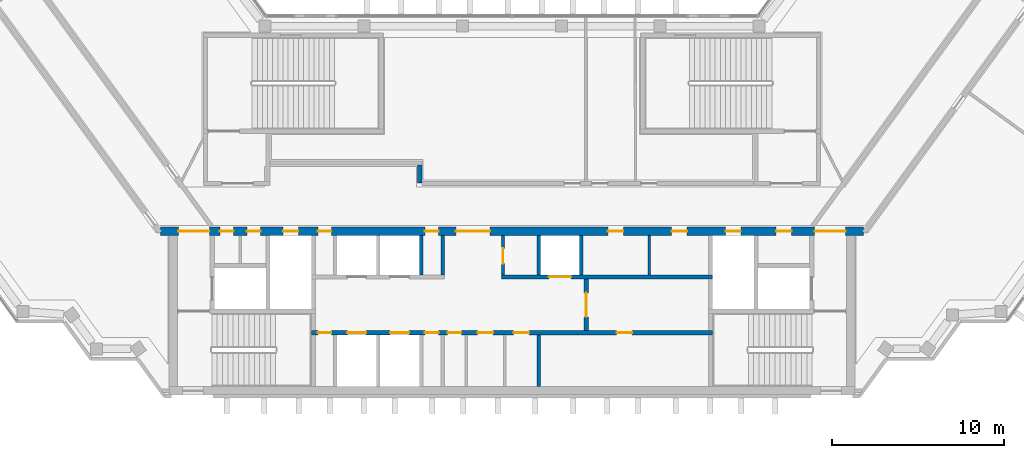
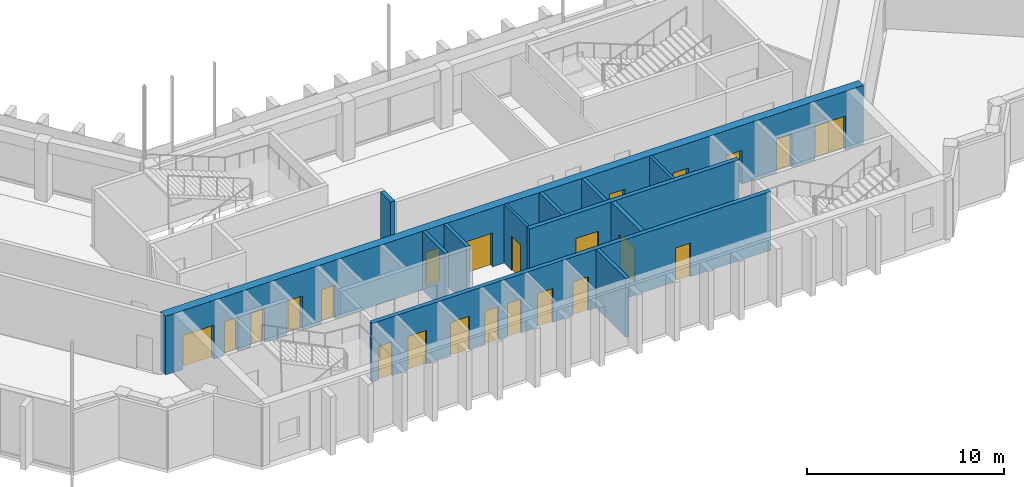
# One storey, part 9 of 13: 23 doors, 12 walls, 23 openings.
"""IFC4 building model written with IfcOpenShell, lengths in metres."""

from ifc_helpers import new_model, si_unit, direction, frame, frame_2d, origin, place, context, subcontext, project, spatial, rectangle, extrude, material, layer, layer_set, type_object, element, fill, save


model = new_model("IFC4")

# Units and contexts
model_context = context("Model", 3, precision=1e-05, world=origin(), true_north=direction((0.0, 1.0)))
body_context = subcontext(model_context, "Body", "Model", "MODEL_VIEW")
ifc_project = project(units=[si_unit("LENGTHUNIT", "METRE"), si_unit("AREAUNIT", "SQUARE_METRE"), si_unit("VOLUMEUNIT", "CUBIC_METRE"), si_unit("PLANEANGLEUNIT", "RADIAN"), si_unit("MASSUNIT", "GRAM", prefix="KILO")], contexts=[model_context])

# Site, building, storey
site_placement = place(None, origin())
site = spatial("IfcSite", under=ifc_project, at=site_placement, CompositionType="ELEMENT")
building_placement = place(site_placement, origin())
building = spatial("IfcBuilding", under=site, at=building_placement, Name="Quipu Civic Tower", CompositionType="ELEMENT")
storey_placement = place(building_placement, frame((0.0, 0.0, 347.0)))
storey = spatial("IfcBuildingStorey", under=building, at=storey_placement, Name="L81", CompositionType="ELEMENT", Elevation=347.0)

# Wall, openings, doors
ifc_material_1 = material(Name="Concrete C70/85", Category="concrete")
ifc_layer_1 = layer(ifc_material_1, 0.25)
ifc_layer_set_1 = layer_set([ifc_layer_1], Name="Concrete C70/85")
wall_type_1 = type_object("IfcWallType", Name="Core wall 250", PredefinedType="SHEAR", material=ifc_layer_set_1)
wall_1_placement = place(storey_placement, frame((11.699951171875, -7.375, 0.0), z_axis=(0.0, 0.0, 1.0), x_axis=(-1.0, 0.0, 0.0)))
wall_1 = element("IfcWall", 1, at=wall_1_placement, inside=storey, type_object=wall_type_1, Name="Core wall", PredefinedType="SHEAR", context=body_context, shape_type="SweptSolid", body=[
    extrude(rectangle(XDim=23.39990234375, YDim=0.25, at=frame_2d((11.699951171875, 0.0))), origin(), (0.0, 0.0, 1.0), 3.64990234375),
])
opening_1_placement = place(wall_1_placement, frame((22.22509765625, 0.0, 0.0)))
opening_1 = element("IfcOpeningElement", 2, at=opening_1_placement, cuts=wall_1, Name="Opening CD-01", PredefinedType="OPENING", context=body_context, shape_type="SweptSolid", body=[
    extrude(rectangle(XDim=0.800048828125, YDim=2.10009765625, at=frame_2d((0.39990234375, 1.050048828125))), frame((0.0, 0.135009765625, 0.0), z_axis=(0.0, -1.0, 0.0), x_axis=(1.0, 0.0, 0.0)), (0.0, 0.0, 1.0), 0.27001953125),
])
opening_2_placement = place(wall_1_placement, frame((20.199951171875, 0.0, 0.0)))
opening_2 = element("IfcOpeningElement", 3, at=opening_2_placement, cuts=wall_1, Name="Opening LD-HL1", PredefinedType="OPENING", context=body_context, shape_type="SweptSolid", body=[
    extrude(rectangle(XDim=1.10009765625, YDim=2.10009765625, at=frame_2d((0.550048828125, 1.050048828125))), frame((0.0, 0.135009765625, 0.0), z_axis=(0.0, -1.0, 0.0), x_axis=(1.0, 0.0, 0.0)), (0.0, 0.0, 1.0), 0.27001953125),
])
opening_3_placement = place(wall_1_placement, frame((17.699951171875, 0.0, 0.0)))
opening_3 = element("IfcOpeningElement", 4, at=opening_3_placement, cuts=wall_1, Name="Opening LD-HL2", PredefinedType="OPENING", context=body_context, shape_type="SweptSolid", body=[
    extrude(rectangle(XDim=1.10009765625, YDim=2.10009765625, at=frame_2d((0.550048828125, 1.050048828125))), frame((0.0, 0.135009765625, 0.0), z_axis=(0.0, -1.0, 0.0), x_axis=(1.0, 0.0, 0.0)), (0.0, 0.0, 1.0), 0.27001953125),
])
opening_4_placement = place(wall_1_placement, frame((15.97509765625, 0.0, 0.0)))
opening_4 = element("IfcOpeningElement", 5, at=opening_4_placement, cuts=wall_1, Name="Opening CD-02", PredefinedType="OPENING", context=body_context, shape_type="SweptSolid", body=[
    extrude(rectangle(XDim=0.800048828125, YDim=2.10009765625, at=frame_2d((0.39990234375, 1.050048828125))), frame((0.0, 0.135009765625, 0.0), z_axis=(0.0, -1.0, 0.0), x_axis=(1.0, 0.0, 0.0)), (0.0, 0.0, 1.0), 0.27001953125),
])
opening_5_placement = place(wall_1_placement, frame((14.64990234375, 0.0, 0.0)))
opening_5 = element("IfcOpeningElement", 6, at=opening_5_placement, cuts=wall_1, Name="Opening CD-03", PredefinedType="OPENING", context=body_context, shape_type="SweptSolid", body=[
    extrude(rectangle(XDim=0.800048828125, YDim=2.10009765625, at=frame_2d((0.39990234375, 1.050048828125))), frame((0.0, 0.135009765625, 0.0), z_axis=(0.0, -1.0, 0.0), x_axis=(1.0, 0.0, 0.0)), (0.0, 0.0, 1.0), 0.27001953125),
])
opening_6_placement = place(wall_1_placement, frame((12.800048828125, 0.0, 0.0)))
opening_6 = element("IfcOpeningElement", 7, at=opening_6_placement, cuts=wall_1, Name="Opening CD-04", PredefinedType="OPENING", context=body_context, shape_type="SweptSolid", body=[
    extrude(rectangle(XDim=0.89990234375, YDim=2.10009765625, at=frame_2d((0.449951171875, 1.050048828125))), frame((0.0, 0.135009765625, 0.0), z_axis=(0.0, -1.0, 0.0), x_axis=(1.0, 0.0, 0.0)), (0.0, 0.0, 1.0), 0.27001953125),
])
opening_7_placement = place(wall_1_placement, frame((10.699951171875, 0.0, 0.0)))
opening_7 = element("IfcOpeningElement", 8, at=opening_7_placement, cuts=wall_1, Name="Opening CD-05", PredefinedType="OPENING", context=body_context, shape_type="SweptSolid", body=[
    extrude(rectangle(XDim=0.89990234375, YDim=2.10009765625, at=frame_2d((0.449951171875, 1.050048828125))), frame((0.0, 0.135009765625, 0.0), z_axis=(0.0, -1.0, 0.0), x_axis=(1.0, 0.0, 0.0)), (0.0, 0.0, 1.0), 0.27001953125),
])
opening_8_placement = place(wall_1_placement, frame((4.699951171875, 0.0, 0.0)))
opening_8 = element("IfcOpeningElement", 9, at=opening_8_placement, cuts=wall_1, Name="Opening CD-06", PredefinedType="OPENING", context=body_context, shape_type="SweptSolid", body=[
    extrude(rectangle(XDim=0.89990234375, YDim=2.10009765625, at=frame_2d((0.449951171875, 1.050048828125))), frame((0.0, 0.135009765625, 0.0), z_axis=(0.0, -1.0, 0.0), x_axis=(1.0, 0.0, 0.0)), (0.0, 0.0, 1.0), 0.27001953125),
])
ifc_material_2 = material(Name="Fire rated steel door", Category="steel")
door_type_1 = type_object("IfcDoorType", Name="Fire door FD60 800 x 2100", OperationType="NOTDEFINED", PredefinedType="DOOR", material=ifc_material_2)
door_1_placement = place(opening_1_placement, origin())
door_1 = element("IfcDoor", 10, at=door_1_placement, inside=storey, type_object=door_type_1, Name="Door", OperationType="SINGLE_SWING_RIGHT", OverallHeight=2.10009765625, OverallWidth=0.800048828125, PredefinedType="DOOR", context=body_context, shape_type="SweptSolid", body=[
    extrude(rectangle(XDim=0.800048828125, YDim=2.10009765625, at=frame_2d((0.39990234375, 1.050048828125))), frame((0.0, 0.02490234375, 0.0), z_axis=(0.0, -1.0, 0.0), x_axis=(1.0, 0.0, 0.0)), (0.0, 0.0, 1.0), 0.050048828125),
])
fill(opening_1, door_1)
door_2_placement = place(opening_4_placement, origin())
door_2 = element("IfcDoor", 11, at=door_2_placement, inside=storey, type_object=door_type_1, Name="Door", OperationType="SINGLE_SWING_RIGHT", OverallHeight=2.10009765625, OverallWidth=0.800048828125, PredefinedType="DOOR", context=body_context, shape_type="SweptSolid", body=[
    extrude(rectangle(XDim=0.800048828125, YDim=2.10009765625, at=frame_2d((0.39990234375, 1.050048828125))), frame((0.0, 0.02490234375, 0.0), z_axis=(0.0, -1.0, 0.0), x_axis=(1.0, 0.0, 0.0)), (0.0, 0.0, 1.0), 0.050048828125),
])
fill(opening_4, door_2)
door_3_placement = place(opening_5_placement, origin())
door_3 = element("IfcDoor", 12, at=door_3_placement, inside=storey, type_object=door_type_1, Name="Door", OperationType="SINGLE_SWING_RIGHT", OverallHeight=2.10009765625, OverallWidth=0.800048828125, PredefinedType="DOOR", context=body_context, shape_type="SweptSolid", body=[
    extrude(rectangle(XDim=0.800048828125, YDim=2.10009765625, at=frame_2d((0.39990234375, 1.050048828125))), frame((0.0, 0.02490234375, 0.0), z_axis=(0.0, -1.0, 0.0), x_axis=(1.0, 0.0, 0.0)), (0.0, 0.0, 1.0), 0.050048828125),
])
fill(opening_5, door_3)
ifc_material_3 = material(Name="Fire rated steel door", Category="steel")
door_type_2 = type_object("IfcDoorType", Name="Fire door FD60 900 x 2100", OperationType="NOTDEFINED", PredefinedType="DOOR", material=ifc_material_3)
door_4_placement = place(opening_6_placement, origin())
door_4 = element("IfcDoor", 13, at=door_4_placement, inside=storey, type_object=door_type_2, Name="WC door", OperationType="SINGLE_SWING_RIGHT", OverallHeight=2.10009765625, OverallWidth=0.89990234375, PredefinedType="DOOR", context=body_context, shape_type="SweptSolid", body=[
    extrude(rectangle(XDim=0.89990234375, YDim=2.10009765625, at=frame_2d((0.449951171875, 1.050048828125))), frame((0.0, 0.02490234375, 0.0), z_axis=(0.0, -1.0, 0.0), x_axis=(1.0, 0.0, 0.0)), (0.0, 0.0, 1.0), 0.050048828125),
])
fill(opening_6, door_4)
door_5_placement = place(opening_7_placement, origin())
door_5 = element("IfcDoor", 14, at=door_5_placement, inside=storey, type_object=door_type_2, Name="WC door", OperationType="SINGLE_SWING_LEFT", OverallHeight=2.10009765625, OverallWidth=0.89990234375, PredefinedType="DOOR", context=body_context, shape_type="SweptSolid", body=[
    extrude(rectangle(XDim=0.89990234375, YDim=2.10009765625, at=frame_2d((0.449951171875, 1.050048828125))), frame((0.0, 0.02490234375, 0.0), z_axis=(0.0, -1.0, 0.0), x_axis=(1.0, 0.0, 0.0)), (0.0, 0.0, 1.0), 0.050048828125),
])
fill(opening_7, door_5)
door_6_placement = place(opening_8_placement, origin())
door_6 = element("IfcDoor", 15, at=door_6_placement, inside=storey, type_object=door_type_2, Name="Door", OperationType="SINGLE_SWING_LEFT", OverallHeight=2.10009765625, OverallWidth=0.89990234375, PredefinedType="DOOR", context=body_context, shape_type="SweptSolid", body=[
    extrude(rectangle(XDim=0.89990234375, YDim=2.10009765625, at=frame_2d((0.449951171875, 1.050048828125))), frame((0.0, 0.02490234375, 0.0), z_axis=(0.0, -1.0, 0.0), x_axis=(1.0, 0.0, 0.0)), (0.0, 0.0, 1.0), 0.050048828125),
])
fill(opening_8, door_6)
ifc_material_4 = material(Name="Stainless steel", Category="steel")
door_type_3 = type_object("IfcDoorType", Name="Lift landing door 1100 x 2100", OperationType="DOUBLE_DOOR_SLIDING", PredefinedType="DOOR", material=ifc_material_4)
door_7_placement = place(opening_2_placement, origin())
door_7 = element("IfcDoor", 16, at=door_7_placement, inside=storey, type_object=door_type_3, Name="Landing door HL1", OperationType="DOUBLE_DOOR_SLIDING", OverallHeight=2.10009765625, OverallWidth=1.10009765625, PredefinedType="DOOR", context=body_context, shape_type="SweptSolid", body=[
    extrude(rectangle(XDim=1.10009765625, YDim=2.10009765625, at=frame_2d((0.550048828125, 1.050048828125))), frame((0.0, 0.02490234375, 0.0), z_axis=(0.0, -1.0, 0.0), x_axis=(1.0, 0.0, 0.0)), (0.0, 0.0, 1.0), 0.050048828125),
])
fill(opening_2, door_7)
door_8_placement = place(opening_3_placement, origin())
door_8 = element("IfcDoor", 17, at=door_8_placement, inside=storey, type_object=door_type_3, Name="Landing door HL2", OperationType="DOUBLE_DOOR_SLIDING", OverallHeight=2.10009765625, OverallWidth=1.10009765625, PredefinedType="DOOR", context=body_context, shape_type="SweptSolid", body=[
    extrude(rectangle(XDim=1.10009765625, YDim=2.10009765625, at=frame_2d((0.550048828125, 1.050048828125))), frame((0.0, 0.02490234375, 0.0), z_axis=(0.0, -1.0, 0.0), x_axis=(1.0, 0.0, 0.0)), (0.0, 0.0, 1.0), 0.050048828125),
])
fill(opening_3, door_8)

# Wall, opening, door
wall_2_placement = place(storey_placement, frame((4.324951171875, -7.25, 0.0), z_axis=(0.0, 0.0, 1.0), x_axis=(0.0, 1.0, 0.0)))
wall_2 = element("IfcWall", 18, at=wall_2_placement, inside=storey, type_object=wall_type_1, Name="Core wall", PredefinedType="SHEAR", context=body_context, shape_type="SweptSolid", body=[
    extrude(rectangle(XDim=3.0, YDim=0.25, at=frame_2d((1.5, 0.0))), origin(), (0.0, 0.0, 1.0), 3.64990234375),
])
opening_9_placement = place(wall_2_placement, frame((0.800048828125, 0.0, 0.0)))
opening_9 = element("IfcOpeningElement", 19, at=opening_9_placement, cuts=wall_2, Name="Opening CD-09", PredefinedType="OPENING", context=body_context, shape_type="SweptSolid", body=[
    extrude(rectangle(XDim=1.39990234375, YDim=2.10009765625, at=frame_2d((0.699951171875, 1.050048828125))), frame((0.0, 0.135009765625, 0.0), z_axis=(0.0, -1.0, 0.0), x_axis=(1.0, 0.0, 0.0)), (0.0, 0.0, 1.0), 0.27001953125),
])
ifc_material_5 = material(Name="Fire rated steel door", Category="steel")
door_type_4 = type_object("IfcDoorType", Name="Fire door FD60 double 1400 x 2100", OperationType="NOTDEFINED", PredefinedType="DOOR", material=ifc_material_5)
door_9_placement = place(opening_9_placement, origin())
door_9 = element("IfcDoor", 20, at=door_9_placement, inside=storey, type_object=door_type_4, Name="Hall door", OperationType="DOUBLE_DOOR_SINGLE_SWING", OverallHeight=2.10009765625, OverallWidth=1.39990234375, PredefinedType="DOOR", context=body_context, shape_type="SweptSolid", body=[
    extrude(rectangle(XDim=1.39990234375, YDim=2.10009765625, at=frame_2d((0.699951171875, 1.050048828125))), frame((0.0, 0.02490234375, 0.0), z_axis=(0.0, -1.0, 0.0), x_axis=(1.0, 0.0, 0.0)), (0.0, 0.0, 1.0), 0.050048828125),
])
fill(opening_9, door_9)

wall_3_placement = place(storey_placement, frame((-0.60009765625, -4.125, 0.0), z_axis=(0.0, 0.0, 1.0), x_axis=(1.0, 0.0, 0.0)))
wall_3 = element("IfcWall", 21, at=wall_3_placement, inside=storey, type_object=wall_type_1, Name="Core wall", PredefinedType="SHEAR", context=body_context, shape_type="SweptSolid", body=[
    extrude(rectangle(XDim=12.300048828125, YDim=0.25, at=frame_2d((6.14990234375, 0.0))), origin(), (0.0, 0.0, 1.0), 3.64990234375),
])
opening_10_placement = place(wall_3_placement, frame((2.75, 0.0, 0.0)))
opening_10 = element("IfcOpeningElement", 22, at=opening_10_placement, cuts=wall_3, Name="Opening LD-FF3", PredefinedType="OPENING", context=body_context, shape_type="SweptSolid", body=[
    extrude(rectangle(XDim=1.300048828125, YDim=2.10009765625, at=frame_2d((0.64990234375, 1.050048828125))), frame((0.0, 0.135009765625, 0.0), z_axis=(0.0, -1.0, 0.0), x_axis=(1.0, 0.0, 0.0)), (0.0, 0.0, 1.0), 0.27001953125),
])
ifc_material_6 = material(Name="Stainless steel", Category="steel")
door_type_5 = type_object("IfcDoorType", Name="Lift landing door 1300 x 2100", OperationType="DOUBLE_DOOR_SLIDING", PredefinedType="DOOR", material=ifc_material_6)
door_10_placement = place(opening_10_placement, origin())
door_10 = element("IfcDoor", 23, at=door_10_placement, inside=storey, type_object=door_type_5, Name="Landing door FF3", OperationType="DOUBLE_DOOR_SLIDING", OverallHeight=2.10009765625, OverallWidth=1.300048828125, PredefinedType="DOOR", context=body_context, shape_type="SweptSolid", body=[
    extrude(rectangle(XDim=1.300048828125, YDim=2.10009765625, at=frame_2d((0.64990234375, 1.050048828125))), frame((0.0, 0.02490234375, 0.0), z_axis=(0.0, -1.0, 0.0), x_axis=(1.0, 0.0, 0.0)), (0.0, 0.0, 1.0), 0.050048828125),
])
fill(opening_10, door_10)

# Wall, openings, doors
ifc_material_7 = material(Name="Concrete C70/85", Category="concrete")
ifc_layer_2 = layer(ifc_material_7, 0.5)
ifc_layer_set_2 = layer_set([ifc_layer_2], Name="Concrete C70/85")
wall_type_2 = type_object("IfcWallType", Name="Core wall 500", PredefinedType="SHEAR", material=ifc_layer_set_2)
wall_4_placement = place(storey_placement, frame((20.489990234375, -1.449951171875, 0.0), z_axis=(0.0, 0.0, 1.0), x_axis=(-1.0, 0.0, 0.0)))
wall_4 = element("IfcWall", 24, at=wall_4_placement, inside=storey, type_object=wall_type_2, Name="Core wall", PredefinedType="SHEAR", context=body_context, shape_type="SweptSolid", body=[
    extrude(rectangle(XDim=40.97998046875, YDim=0.5, at=frame_2d((20.489990234375, 0.0))), origin(), (0.0, 0.0, 1.0), 3.64990234375),
])
opening_11_placement = place(wall_4_placement, frame((38.139892578125, 0.0, 0.0)))
opening_11 = element("IfcOpeningElement", 25, at=opening_11_placement, cuts=wall_4, Name="Opening CD-11", PredefinedType="OPENING", context=body_context, shape_type="SweptSolid", body=[
    extrude(rectangle(XDim=1.800048828125, YDim=2.10009765625, at=frame_2d((0.89990234375, 1.050048828125))), frame((0.0, 0.260009765625, 0.0), z_axis=(0.0, -1.0, 0.0), x_axis=(1.0, 0.0, 0.0)), (0.0, 0.0, 1.0), 0.52001953125),
])
opening_12_placement = place(wall_4_placement, frame((36.7275390625, 0.0, 0.0)))
opening_12 = element("IfcOpeningElement", 26, at=opening_12_placement, cuts=wall_4, Name="Opening CD-12", PredefinedType="OPENING", context=body_context, shape_type="SweptSolid", body=[
    extrude(rectangle(XDim=0.800048828125, YDim=2.10009765625, at=frame_2d((0.39990234375, 1.050048828125))), frame((0.0, 0.260009765625, 0.0), z_axis=(0.0, -1.0, 0.0), x_axis=(1.0, 0.0, 0.0)), (0.0, 0.0, 1.0), 0.52001953125),
])
opening_13_placement = place(wall_4_placement, frame((35.152587890625, 0.0, 0.0)))
opening_13 = element("IfcOpeningElement", 27, at=opening_13_placement, cuts=wall_4, Name="Opening CD-13", PredefinedType="OPENING", context=body_context, shape_type="SweptSolid", body=[
    extrude(rectangle(XDim=0.800048828125, YDim=2.10009765625, at=frame_2d((0.39990234375, 1.050048828125))), frame((0.0, 0.260009765625, 0.0), z_axis=(0.0, -1.0, 0.0), x_axis=(1.0, 0.0, 0.0)), (0.0, 0.0, 1.0), 0.52001953125),
])
opening_14_placement = place(wall_4_placement, frame((32.93994140625, 0.0, 0.0)))
opening_14 = element("IfcOpeningElement", 28, at=opening_14_placement, cuts=wall_4, Name="Opening CD-14", PredefinedType="OPENING", context=body_context, shape_type="SweptSolid", body=[
    extrude(rectangle(XDim=0.89990234375, YDim=2.10009765625, at=frame_2d((0.449951171875, 1.050048828125))), frame((0.0, 0.260009765625, 0.0), z_axis=(0.0, -1.0, 0.0), x_axis=(1.0, 0.0, 0.0)), (0.0, 0.0, 1.0), 0.52001953125),
])
opening_15_placement = place(wall_4_placement, frame((31.014892578125, 0.0, 0.0)))
opening_15 = element("IfcOpeningElement", 29, at=opening_15_placement, cuts=wall_4, Name="Opening CD-15", PredefinedType="OPENING", context=body_context, shape_type="SweptSolid", body=[
    extrude(rectangle(XDim=0.800048828125, YDim=2.10009765625, at=frame_2d((0.39990234375, 1.050048828125))), frame((0.0, 0.260009765625, 0.0), z_axis=(0.0, -1.0, 0.0), x_axis=(1.0, 0.0, 0.0)), (0.0, 0.0, 1.0), 0.52001953125),
])
opening_16_placement = place(wall_4_placement, frame((24.764892578125, 0.0, 0.0)))
opening_16 = element("IfcOpeningElement", 30, at=opening_16_placement, cuts=wall_4, Name="Opening CD-16", PredefinedType="OPENING", context=body_context, shape_type="SweptSolid", body=[
    extrude(rectangle(XDim=0.800048828125, YDim=2.10009765625, at=frame_2d((0.39990234375, 1.050048828125))), frame((0.0, 0.260009765625, 0.0), z_axis=(0.0, -1.0, 0.0), x_axis=(1.0, 0.0, 0.0)), (0.0, 0.0, 1.0), 0.52001953125),
])
opening_17_placement = place(wall_4_placement, frame((21.764892578125, 0.0, 0.0)))
opening_17 = element("IfcOpeningElement", 31, at=opening_17_placement, cuts=wall_4, Name="Opening CD-17", PredefinedType="OPENING", context=body_context, shape_type="SweptSolid", body=[
    extrude(rectangle(XDim=2.0, YDim=2.10009765625, at=frame_2d((1.0, 1.050048828125))), frame((0.0, 0.260009765625, 0.0), z_axis=(0.0, -1.0, 0.0), x_axis=(1.0, 0.0, 0.0)), (0.0, 0.0, 1.0), 0.52001953125),
])
opening_18_placement = place(wall_4_placement, frame((14.00244140625, 0.0, 0.0)))
opening_18 = element("IfcOpeningElement", 32, at=opening_18_placement, cuts=wall_4, Name="Opening CD-18", PredefinedType="OPENING", context=body_context, shape_type="SweptSolid", body=[
    extrude(rectangle(XDim=0.89990234375, YDim=2.10009765625, at=frame_2d((0.449951171875, 1.050048828125))), frame((0.0, 0.260009765625, 0.0), z_axis=(0.0, -1.0, 0.0), x_axis=(1.0, 0.0, 0.0)), (0.0, 0.0, 1.0), 0.52001953125),
])
opening_19_placement = place(wall_4_placement, frame((10.277587890625, 0.0, 0.0)))
opening_19 = element("IfcOpeningElement", 33, at=opening_19_placement, cuts=wall_4, Name="Opening CD-19", PredefinedType="OPENING", context=body_context, shape_type="SweptSolid", body=[
    extrude(rectangle(XDim=0.89990234375, YDim=2.10009765625, at=frame_2d((0.449951171875, 1.050048828125))), frame((0.0, 0.260009765625, 0.0), z_axis=(0.0, -1.0, 0.0), x_axis=(1.0, 0.0, 0.0)), (0.0, 0.0, 1.0), 0.52001953125),
])
opening_20_placement = place(wall_4_placement, frame((7.139892578125, 0.0, 0.0)))
opening_20 = element("IfcOpeningElement", 34, at=opening_20_placement, cuts=wall_4, Name="Opening CD-20", PredefinedType="OPENING", context=body_context, shape_type="SweptSolid", body=[
    extrude(rectangle(XDim=0.89990234375, YDim=2.10009765625, at=frame_2d((0.449951171875, 1.050048828125))), frame((0.0, 0.260009765625, 0.0), z_axis=(0.0, -1.0, 0.0), x_axis=(1.0, 0.0, 0.0)), (0.0, 0.0, 1.0), 0.52001953125),
])
opening_21_placement = place(wall_4_placement, frame((4.18994140625, 0.0, 0.0)))
opening_21 = element("IfcOpeningElement", 35, at=opening_21_placement, cuts=wall_4, Name="Opening CD-21", PredefinedType="OPENING", context=body_context, shape_type="SweptSolid", body=[
    extrude(rectangle(XDim=0.89990234375, YDim=2.10009765625, at=frame_2d((0.449951171875, 1.050048828125))), frame((0.0, 0.260009765625, 0.0), z_axis=(0.0, -1.0, 0.0), x_axis=(1.0, 0.0, 0.0)), (0.0, 0.0, 1.0), 0.52001953125),
])
opening_22_placement = place(wall_4_placement, frame((1.0400390625, 0.0, 0.0)))
opening_22 = element("IfcOpeningElement", 36, at=opening_22_placement, cuts=wall_4, Name="Opening CD-22", PredefinedType="OPENING", context=body_context, shape_type="SweptSolid", body=[
    extrude(rectangle(XDim=1.800048828125, YDim=2.10009765625, at=frame_2d((0.89990234375, 1.050048828125))), frame((0.0, 0.260009765625, 0.0), z_axis=(0.0, -1.0, 0.0), x_axis=(1.0, 0.0, 0.0)), (0.0, 0.0, 1.0), 0.52001953125),
])
door_11_placement = place(opening_12_placement, origin())
door_11 = element("IfcDoor", 37, at=door_11_placement, inside=storey, type_object=door_type_1, Name="Door", OperationType="SINGLE_SWING_RIGHT", OverallHeight=2.10009765625, OverallWidth=0.800048828125, PredefinedType="DOOR", context=body_context, shape_type="SweptSolid", body=[
    extrude(rectangle(XDim=0.800048828125, YDim=2.10009765625, at=frame_2d((0.39990234375, 1.050048828125))), frame((0.0, 0.02490234375, 0.0), z_axis=(0.0, -1.0, 0.0), x_axis=(1.0, 0.0, 0.0)), (0.0, 0.0, 1.0), 0.050048828125),
])
fill(opening_12, door_11)
door_12_placement = place(opening_13_placement, origin())
door_12 = element("IfcDoor", 38, at=door_12_placement, inside=storey, type_object=door_type_1, Name="Door", OperationType="SINGLE_SWING_RIGHT", OverallHeight=2.10009765625, OverallWidth=0.800048828125, PredefinedType="DOOR", context=body_context, shape_type="SweptSolid", body=[
    extrude(rectangle(XDim=0.800048828125, YDim=2.10009765625, at=frame_2d((0.39990234375, 1.050048828125))), frame((0.0, 0.02490234375, 0.0), z_axis=(0.0, -1.0, 0.0), x_axis=(1.0, 0.0, 0.0)), (0.0, 0.0, 1.0), 0.050048828125),
])
fill(opening_13, door_12)
door_13_placement = place(opening_15_placement, origin())
door_13 = element("IfcDoor", 39, at=door_13_placement, inside=storey, type_object=door_type_1, Name="Door", OperationType="SINGLE_SWING_RIGHT", OverallHeight=2.10009765625, OverallWidth=0.800048828125, PredefinedType="DOOR", context=body_context, shape_type="SweptSolid", body=[
    extrude(rectangle(XDim=0.800048828125, YDim=2.10009765625, at=frame_2d((0.39990234375, 1.050048828125))), frame((0.0, 0.02490234375, 0.0), z_axis=(0.0, -1.0, 0.0), x_axis=(1.0, 0.0, 0.0)), (0.0, 0.0, 1.0), 0.050048828125),
])
fill(opening_15, door_13)
door_14_placement = place(opening_16_placement, origin())
door_14 = element("IfcDoor", 40, at=door_14_placement, inside=storey, type_object=door_type_1, Name="Door", OperationType="SINGLE_SWING_RIGHT", OverallHeight=2.10009765625, OverallWidth=0.800048828125, PredefinedType="DOOR", context=body_context, shape_type="SweptSolid", body=[
    extrude(rectangle(XDim=0.800048828125, YDim=2.10009765625, at=frame_2d((0.39990234375, 1.050048828125))), frame((0.0, 0.02490234375, 0.0), z_axis=(0.0, -1.0, 0.0), x_axis=(1.0, 0.0, 0.0)), (0.0, 0.0, 1.0), 0.050048828125),
])
fill(opening_16, door_14)
door_15_placement = place(opening_14_placement, origin())
door_15 = element("IfcDoor", 41, at=door_15_placement, inside=storey, type_object=door_type_2, Name="Riser door", OperationType="SINGLE_SWING_RIGHT", OverallHeight=2.10009765625, OverallWidth=0.89990234375, PredefinedType="DOOR", context=body_context, shape_type="SweptSolid", body=[
    extrude(rectangle(XDim=0.89990234375, YDim=2.10009765625, at=frame_2d((0.449951171875, 1.050048828125))), frame((0.0, 0.02490234375, 0.0), z_axis=(0.0, -1.0, 0.0), x_axis=(1.0, 0.0, 0.0)), (0.0, 0.0, 1.0), 0.050048828125),
])
fill(opening_14, door_15)
door_16_placement = place(opening_18_placement, origin())
door_16 = element("IfcDoor", 42, at=door_16_placement, inside=storey, type_object=door_type_2, Name="Door", OperationType="SINGLE_SWING_LEFT", OverallHeight=2.10009765625, OverallWidth=0.89990234375, PredefinedType="DOOR", context=body_context, shape_type="SweptSolid", body=[
    extrude(rectangle(XDim=0.89990234375, YDim=2.10009765625, at=frame_2d((0.449951171875, 1.050048828125))), frame((0.0, 0.02490234375, 0.0), z_axis=(0.0, -1.0, 0.0), x_axis=(1.0, 0.0, 0.0)), (0.0, 0.0, 1.0), 0.050048828125),
])
fill(opening_18, door_16)
door_17_placement = place(opening_19_placement, origin())
door_17 = element("IfcDoor", 43, at=door_17_placement, inside=storey, type_object=door_type_2, Name="Door", OperationType="SINGLE_SWING_LEFT", OverallHeight=2.10009765625, OverallWidth=0.89990234375, PredefinedType="DOOR", context=body_context, shape_type="SweptSolid", body=[
    extrude(rectangle(XDim=0.89990234375, YDim=2.10009765625, at=frame_2d((0.449951171875, 1.050048828125))), frame((0.0, 0.02490234375, 0.0), z_axis=(0.0, -1.0, 0.0), x_axis=(1.0, 0.0, 0.0)), (0.0, 0.0, 1.0), 0.050048828125),
])
fill(opening_19, door_17)
door_18_placement = place(opening_20_placement, origin())
door_18 = element("IfcDoor", 44, at=door_18_placement, inside=storey, type_object=door_type_2, Name="Riser door", OperationType="SINGLE_SWING_LEFT", OverallHeight=2.10009765625, OverallWidth=0.89990234375, PredefinedType="DOOR", context=body_context, shape_type="SweptSolid", body=[
    extrude(rectangle(XDim=0.89990234375, YDim=2.10009765625, at=frame_2d((0.449951171875, 1.050048828125))), frame((0.0, 0.02490234375, 0.0), z_axis=(0.0, -1.0, 0.0), x_axis=(1.0, 0.0, 0.0)), (0.0, 0.0, 1.0), 0.050048828125),
])
fill(opening_20, door_18)
door_19_placement = place(opening_21_placement, origin())
door_19 = element("IfcDoor", 45, at=door_19_placement, inside=storey, type_object=door_type_2, Name="Door", OperationType="SINGLE_SWING_LEFT", OverallHeight=2.10009765625, OverallWidth=0.89990234375, PredefinedType="DOOR", context=body_context, shape_type="SweptSolid", body=[
    extrude(rectangle(XDim=0.89990234375, YDim=2.10009765625, at=frame_2d((0.449951171875, 1.050048828125))), frame((0.0, 0.02490234375, 0.0), z_axis=(0.0, -1.0, 0.0), x_axis=(1.0, 0.0, 0.0)), (0.0, 0.0, 1.0), 0.050048828125),
])
fill(opening_21, door_19)
ifc_material_8 = material(Name="Fire rated steel door", Category="steel")
door_type_6 = type_object("IfcDoorType", Name="Fire door FD90 double 1800 x 2100", OperationType="NOTDEFINED", PredefinedType="DOOR", material=ifc_material_8)
door_20_placement = place(opening_11_placement, origin())
door_20 = element("IfcDoor", 46, at=door_20_placement, inside=storey, type_object=door_type_6, Name="Lobby door", OperationType="DOUBLE_DOOR_SINGLE_SWING", OverallHeight=2.10009765625, OverallWidth=1.800048828125, PredefinedType="DOOR", context=body_context, shape_type="SweptSolid", body=[
    extrude(rectangle(XDim=1.800048828125, YDim=2.10009765625, at=frame_2d((0.89990234375, 1.050048828125))), frame((0.0, 0.02490234375, 0.0), z_axis=(0.0, -1.0, 0.0), x_axis=(1.0, 0.0, 0.0)), (0.0, 0.0, 1.0), 0.050048828125),
])
fill(opening_11, door_20)
door_21_placement = place(opening_22_placement, origin())
door_21 = element("IfcDoor", 47, at=door_21_placement, inside=storey, type_object=door_type_6, Name="Lobby door", OperationType="DOUBLE_DOOR_SINGLE_SWING", OverallHeight=2.10009765625, OverallWidth=1.800048828125, PredefinedType="DOOR", context=body_context, shape_type="SweptSolid", body=[
    extrude(rectangle(XDim=1.800048828125, YDim=2.10009765625, at=frame_2d((0.89990234375, 1.050048828125))), frame((0.0, 0.02490234375, 0.0), z_axis=(0.0, -1.0, 0.0), x_axis=(1.0, 0.0, 0.0)), (0.0, 0.0, 1.0), 0.050048828125),
])
fill(opening_22, door_21)
ifc_material_9 = material(Name="Fire rated steel door", Category="steel")
door_type_7 = type_object("IfcDoorType", Name="Fire door FD90 double 2000 x 2100", OperationType="NOTDEFINED", PredefinedType="DOOR", material=ifc_material_9)
door_22_placement = place(opening_17_placement, origin())
door_22 = element("IfcDoor", 48, at=door_22_placement, inside=storey, type_object=door_type_7, Name="Lobby door", OperationType="DOUBLE_DOOR_SINGLE_SWING", OverallHeight=2.10009765625, OverallWidth=2.0, PredefinedType="DOOR", context=body_context, shape_type="SweptSolid", body=[
    extrude(rectangle(XDim=2.0, YDim=2.10009765625, at=frame_2d((1.0, 1.050048828125))), frame((0.0, 0.02490234375, 0.0), z_axis=(0.0, -1.0, 0.0), x_axis=(1.0, 0.0, 0.0)), (0.0, 0.0, 1.0), 0.050048828125),
])
fill(opening_17, door_22)

# Wall
ifc_material_10 = material(Name="Concrete C50/60", Category="concrete")
ifc_layer_3 = layer(ifc_material_10, 0.25)
ifc_layer_set_3 = layer_set([ifc_layer_3], Name="Concrete C50/60")
wall_type_3 = type_object("IfcWallType", Name="Corridor wall 250 concrete", PredefinedType="SOLIDWALL", material=ifc_layer_set_3)
wall_5_placement = place(storey_placement, frame((-5.375, 2.39990234375, 0.0), z_axis=(0.0, 0.0, 1.0), x_axis=(0.0, -1.0, 0.0)))
element("IfcWall", 49, at=wall_5_placement, inside=storey, type_object=wall_type_3, Name="Corridor wall C08", PredefinedType="SOLIDWALL", context=body_context, shape_type="SweptSolid", body=[
    extrude(rectangle(XDim=1.041259765625, YDim=0.25, at=frame_2d((0.5205078125, 0.0))), origin(), (0.0, 0.0, 1.0), 3.64990234375),
])

# Wall, opening, door
ifc_material_11 = material(Name="Gypsum board partition")
ifc_layer_4 = layer(ifc_material_11, 0.14990234375)
ifc_layer_set_4 = layer_set([ifc_layer_4], Name="Gypsum board partition")
wall_type_4 = type_object("IfcWallType", Name="Partition 150", PredefinedType="PARTITIONING", material=ifc_layer_set_4)
wall_6_placement = place(storey_placement, frame((-0.52490234375, -4.0, 0.0), z_axis=(0.0, 0.0, 1.0), x_axis=(0.0, 1.0, 0.0)))
wall_6 = element("IfcWall", 50, at=wall_6_placement, inside=storey, type_object=wall_type_4, Name="Partition", PredefinedType="PARTITIONING", context=body_context, shape_type="SweptSolid", body=[
    extrude(rectangle(XDim=2.300048828125, YDim=0.14990234375, at=frame_2d((1.14990234375, 0.0))), origin(), (0.0, 0.0, 1.0), 3.64990234375),
])
opening_23_placement = place(wall_6_placement, frame((0.64990234375, 0.0, 0.0)))
opening_23 = element("IfcOpeningElement", 51, at=opening_23_placement, cuts=wall_6, Name="Opening CD-10", PredefinedType="OPENING", context=body_context, shape_type="SweptSolid", body=[
    extrude(rectangle(XDim=0.89990234375, YDim=2.10009765625, at=frame_2d((0.449951171875, 1.050048828125))), frame((0.0, 0.0849609375, 0.0), z_axis=(0.0, -1.0, 0.0), x_axis=(1.0, 0.0, 0.0)), (0.0, 0.0, 1.0), 0.169921875),
])
door_23_placement = place(opening_23_placement, origin())
door_23 = element("IfcDoor", 52, at=door_23_placement, inside=storey, type_object=door_type_2, Name="WC door", OperationType="SINGLE_SWING_LEFT", OverallHeight=2.10009765625, OverallWidth=0.89990234375, PredefinedType="DOOR", context=body_context, shape_type="SweptSolid", body=[
    extrude(rectangle(XDim=0.89990234375, YDim=2.10009765625, at=frame_2d((0.449951171875, 1.050048828125))), frame((0.0, 0.02490234375, 0.0), z_axis=(0.0, -1.0, 0.0), x_axis=(1.0, 0.0, 0.0)), (0.0, 0.0, 1.0), 0.050048828125),
])
fill(opening_23, door_23)

# Walls
wall_7_placement = place(storey_placement, frame((8.0, -4.0, 0.0), z_axis=(0.0, 0.0, 1.0), x_axis=(0.0, 1.0, 0.0)))
element("IfcWall", 53, at=wall_7_placement, inside=storey, type_object=wall_type_4, Name="Partition", PredefinedType="PARTITIONING", context=body_context, shape_type="SweptSolid", body=[
    extrude(rectangle(XDim=2.300048828125, YDim=0.14990234375, at=frame_2d((1.14990234375, 0.0))), origin(), (0.0, 0.0, 1.0), 3.64990234375),
])
ifc_material_12 = material(Name="Concrete C40/50", Category="concrete")
ifc_layer_5 = layer(ifc_material_12, 0.199951171875)
ifc_layer_set_5 = layer_set([ifc_layer_5], Name="Concrete C40/50")
wall_type_5 = type_object("IfcWallType", Name="Shaft wall 200", PredefinedType="SOLIDWALL", material=ifc_layer_set_5)
wall_8_placement = place(storey_placement, frame((1.550048828125, -10.5, 0.0), z_axis=(0.0, 0.0, 1.0), x_axis=(0.0, 1.0, 0.0)))
element("IfcWall", 54, at=wall_8_placement, inside=storey, type_object=wall_type_5, Name="Shaft wall", PredefinedType="SOLIDWALL", context=body_context, shape_type="SweptSolid", body=[
    extrude(rectangle(XDim=3.0, YDim=0.199951171875, at=frame_2d((1.5, 0.0))), origin(), (0.0, 0.0, 1.0), 3.64990234375),
])
for number, where, z_axis, x_axis, name in (
    (55, (-5.300048828125, -4.0, 0.0), (0.0, 0.0, 1.0), (0.0, 1.0, 0.0), "Shaft wall"),
    (56, (-4.050048828125, -4.0, 0.0), (0.0, 0.0, 1.0), (0.0, 1.0, 0.0), "Shaft wall"),
    (57, (1.550048828125, -4.0, 0.0), (0.0, 0.0, 1.0), (0.0, 1.0, 0.0), "Shaft wall"),
    (58, (4.050048828125, -4.0, 0.0), (0.0, 0.0, 1.0), (0.0, 1.0, 0.0), "Shaft wall"),
):
    element("IfcWall", number, at=place(storey_placement, frame(where, z_axis=z_axis, x_axis=x_axis)), inside=storey, type_object=wall_type_5, Name=name, PredefinedType="SOLIDWALL", context=body_context, shape_type="SweptSolid", body=[
        extrude(rectangle(XDim=2.300048828125, YDim=0.199951171875, at=frame_2d((1.14990234375, 0.0))), origin(), (0.0, 0.0, 1.0), 3.64990234375),
    ])

save(model, "model.ifc")
